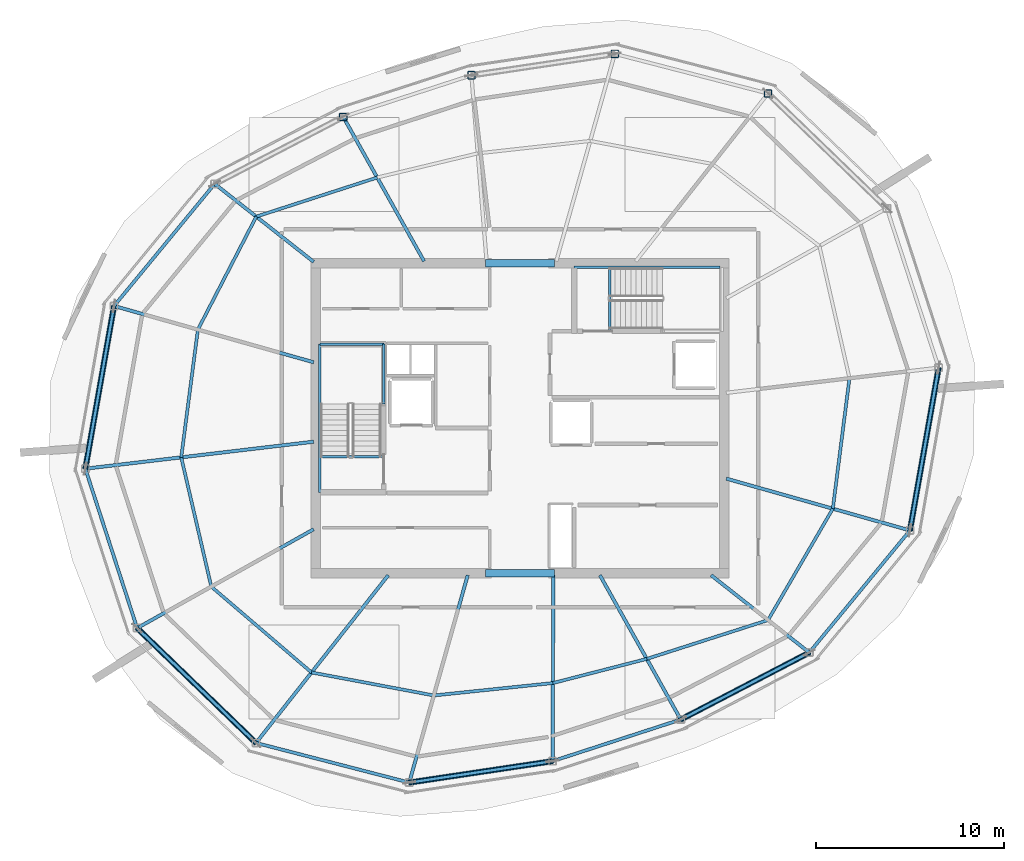
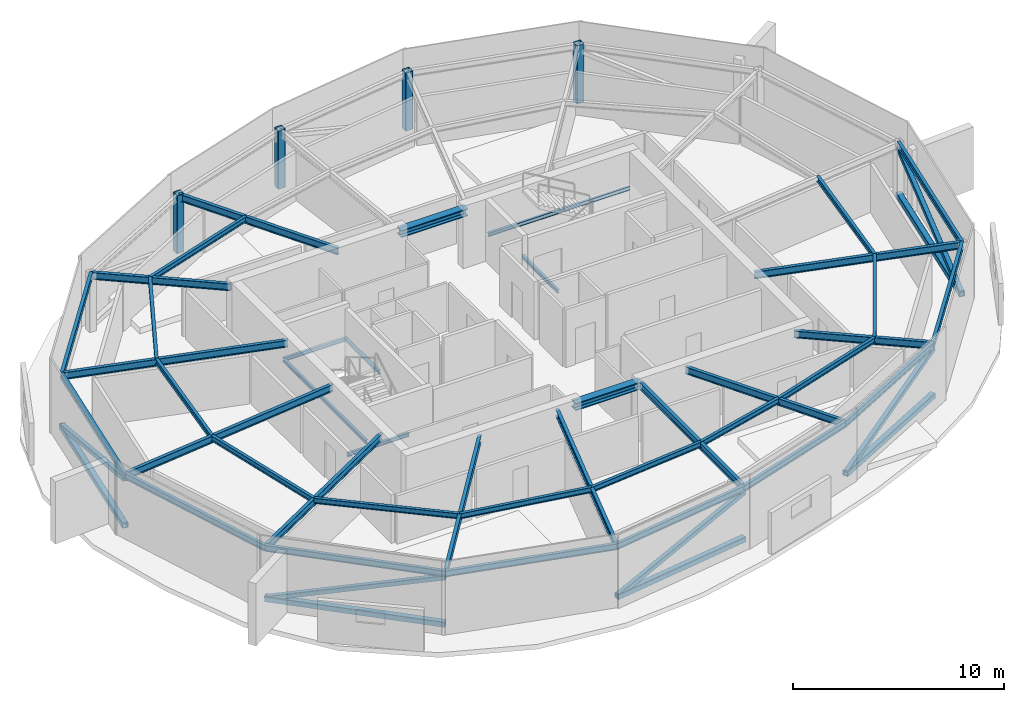
# One storey, part 4 of 10: 40 beams, 10 members, 4 columns.
"""IFC4 building model written with IfcOpenShell, lengths in metres."""

from ifc_helpers import new_model, si_unit, direction, frame, origin, origin_2d, place, context, subcontext, project, spatial, hollow_rectangle, i_section, extrude, material, material_profile, profile_set, type_object, element, save


model = new_model("IFC4")

# Units and contexts
model_context = context("Model", 3, precision=1e-05, world=origin(), true_north=direction((0.0, 1.0)))
body_context = subcontext(model_context, "Body", "Model", "MODEL_VIEW")
ifc_project = project(units=[si_unit("LENGTHUNIT", "METRE"), si_unit("AREAUNIT", "SQUARE_METRE"), si_unit("VOLUMEUNIT", "CUBIC_METRE"), si_unit("PLANEANGLEUNIT", "RADIAN"), si_unit("MASSUNIT", "GRAM", prefix="KILO")], contexts=[model_context])

# Site, building, storey
site_placement = place(None, origin())
site = spatial("IfcSite", under=ifc_project, at=site_placement, CompositionType="ELEMENT")
building_placement = place(site_placement, origin())
building = spatial("IfcBuilding", under=site, at=building_placement, Name="Kazma Halo Residences", CompositionType="ELEMENT")
storey_placement = place(building_placement, frame((0.0, 0.0, 374.0)))
storey = spatial("IfcBuildingStorey", under=building, at=storey_placement, Name="L94", CompositionType="ELEMENT", Elevation=374.0)

# Columns
ifc_material = material(Name="Steel S355", Category="steel")
ifc_material_profile_1 = material_profile(ifc_material, hollow_rectangle(XDim=0.39990234375, YDim=0.39990234375, WallThickness=0.02001953125, InnerFilletRadius=0.02001953125, OuterFilletRadius=0.0400390625, at=origin_2d()), Name="SHS400x400x20")
ifc_profile_set_1 = profile_set([ifc_material_profile_1], Name="Steel S355")
column_type = type_object("IfcColumnType", Name="COL-CROWN-SHS400", PredefinedType="COLUMN", material=ifc_profile_set_1)
for number, where, z_axis, x_axis, name in (
    (1, (61.617431640625, 59.273681640625, 0.0), (0.0, 0.0, 1.0), (1.0, 0.0, 0.0), "L94 CROWN FRAME perimeter column P02"),
    (2, (53.46630859375, 61.38232421875, 0.0), (0.0, 0.0, 1.0), (1.0, 0.0, 0.0), "L94 CROWN FRAME perimeter column P03"),
    (3, (45.8408203125, 60.24365234375, 0.0), (0.0, 0.0, 1.0), (1.0, 0.0, 0.0), "L94 CROWN FRAME perimeter column P04"),
    (4, (39.0234375, 58.02880859375, 0.0), (0.0, 0.0, 1.0), (1.0, 0.0, 0.0), "L94 CROWN FRAME perimeter column P05"),
):
    element("IfcColumn", number, at=place(storey_placement, frame(where, z_axis=z_axis, x_axis=x_axis)), inside=storey, type_object=column_type, Name=name, PredefinedType="COLUMN", context=body_context, shape_type="SweptSolid", body=[
        extrude(hollow_rectangle(XDim=0.39990234375, YDim=0.39990234375, WallThickness=0.02001953125, InnerFilletRadius=0.02001953125, OuterFilletRadius=0.0400390625, at=origin_2d()), origin(), (0.0, 0.0, 1.0), 3.360107421875),
    ])

# Beams
ifc_material_profile_2 = material_profile(ifc_material, i_section(OverallWidth=0.408935546875, OverallDepth=0.425048828125, WebThickness=0.03271484375, FlangeThickness=0.052490234375, FilletRadius=0.02001953125, at=origin_2d()), Name="W360x421")
ifc_profile_set_2 = profile_set([ifc_material_profile_2], Name="Steel S355")
beam_type_1 = type_object("IfcBeamType", Name="BM-CORE-W360H", PredefinedType="BEAM", material=ifc_profile_set_2)
for number, where, z_axis, x_axis, name in (
    (5, (46.60009765625, 33.75, 3.1474609375), (1.0, 0.0, 0.0), (0.0, 1.0, 0.0), "L94 core coupling beam S"),
    (6, (46.60009765625, 50.25, 3.1474609375), (1.0, 0.0, 0.0), (0.0, 1.0, 0.0), "L94 core coupling beam N"),
):
    element("IfcBeam", number, at=place(storey_placement, frame(where, z_axis=z_axis, x_axis=x_axis)), inside=storey, type_object=beam_type_1, Name=name, PredefinedType="BEAM", context=body_context, shape_type="SweptSolid", body=[
        extrude(i_section(OverallWidth=0.408935546875, OverallDepth=0.425048828125, WebThickness=0.03271484375, FlangeThickness=0.052490234375, FilletRadius=0.02001953125, at=origin_2d()), origin(), (0.0, 0.0, 1.0), 3.64990234375),
    ])
ifc_material_profile_3 = material_profile(ifc_material, i_section(OverallWidth=0.177978515625, OverallDepth=0.406982421875, WebThickness=0.0078125, FlangeThickness=0.0126953125, FilletRadius=0.013916015625, at=origin_2d()), Name="W410x60")
ifc_profile_set_3 = profile_set([ifc_material_profile_3], Name="Steel S355")
beam_type_2 = type_object("IfcBeamType", Name="BM-RAD-W410", PredefinedType="BEAM", material=ifc_profile_set_3)
beam_1_placement = place(storey_placement, frame((43.32373046875, 50.35009765625, 3.156494140625), z_axis=(-0.488621952621, 0.872495608824, 0.0), x_axis=(-0.872495608824, -0.488621952621, 0.0)))
element("IfcBeam", 7, at=beam_1_placement, inside=storey, type_object=beam_type_2, Name="L94 radial floor beam 05", PredefinedType="BEAM", context=body_context, shape_type="SweptSolid", body=[
    extrude(i_section(OverallWidth=0.177978515625, OverallDepth=0.406982421875, WebThickness=0.0078125, FlangeThickness=0.0126953125, FilletRadius=0.013916015625, at=origin_2d()), origin(), (0.0, 0.0, 1.0), 8.80078125),
])
beam_2_placement = place(storey_placement, frame((37.449951171875, 50.31689453125, 3.156494140625), z_axis=(-0.785321596803, 0.619088030569, 0.0), x_axis=(-0.619088030569, -0.785321596803, 0.0)))
element("IfcBeam", 8, at=beam_2_placement, inside=storey, type_object=beam_type_2, Name="L94 radial floor beam 06", PredefinedType="BEAM", context=body_context, shape_type="SweptSolid", body=[
    extrude(i_section(OverallWidth=0.177978515625, OverallDepth=0.406982421875, WebThickness=0.0078125, FlangeThickness=0.0126953125, FilletRadius=0.013916015625, at=origin_2d()), origin(), (0.0, 0.0, 1.0), 6.704345703125),
])
beam_3_placement = place(storey_placement, frame((37.449951171875, 44.975341796875, 3.156494140625), z_axis=(-0.962455160106, 0.271440720572, 0.0), x_axis=(-0.271440720572, -0.962455160106, 0.0)))
element("IfcBeam", 9, at=beam_3_placement, inside=storey, type_object=beam_type_2, Name="L94 radial floor beam 07", PredefinedType="BEAM", context=body_context, shape_type="SweptSolid", body=[
    extrude(i_section(OverallWidth=0.177978515625, OverallDepth=0.406982421875, WebThickness=0.0078125, FlangeThickness=0.0126953125, FilletRadius=0.013916015625, at=origin_2d()), origin(), (0.0, 0.0, 1.0), 11.0341796875),
])
beam_4_placement = place(storey_placement, frame((37.449951171875, 40.751220703125, 3.156494140625), z_axis=(-0.993069432883, -0.117529151591, 0.0), x_axis=(0.117529151591, -0.993069432883, 0.0)))
element("IfcBeam", 10, at=beam_4_placement, inside=storey, type_object=beam_type_2, Name="L94 radial floor beam 08", PredefinedType="BEAM", context=body_context, shape_type="SweptSolid", body=[
    extrude(i_section(OverallWidth=0.177978515625, OverallDepth=0.406982421875, WebThickness=0.0078125, FlangeThickness=0.0126953125, FilletRadius=0.013916015625, at=origin_2d()), origin(), (0.0, 0.0, 1.0), 12.23095703125),
])
beam_5_placement = place(storey_placement, frame((37.449951171875, 36.091796875, 3.156494140625), z_axis=(-0.872494798344, -0.488623399832, 0.0), x_axis=(0.488623399832, -0.872494798344, 0.0)))
element("IfcBeam", 11, at=beam_5_placement, inside=storey, type_object=beam_type_2, Name="L94 radial floor beam 09", PredefinedType="BEAM", context=body_context, shape_type="SweptSolid", body=[
    extrude(i_section(OverallWidth=0.177978515625, OverallDepth=0.406982421875, WebThickness=0.0078125, FlangeThickness=0.0126953125, FilletRadius=0.013916015625, at=origin_2d()), origin(), (0.0, 0.0, 1.0), 10.762939453125),
])
beam_6_placement = place(storey_placement, frame((41.41748046875, 33.64990234375, 3.156494140625), z_axis=(-0.619100773028, -0.785311551447, 0.0), x_axis=(0.785311551447, -0.619100773028, 0.0)))
element("IfcBeam", 12, at=beam_6_placement, inside=storey, type_object=beam_type_2, Name="L94 radial floor beam 10", PredefinedType="BEAM", context=body_context, shape_type="SweptSolid", body=[
    extrude(i_section(OverallWidth=0.177978515625, OverallDepth=0.406982421875, WebThickness=0.0078125, FlangeThickness=0.0126953125, FilletRadius=0.013916015625, at=origin_2d()), origin(), (0.0, 0.0, 1.0), 11.363037109375),
])
beam_7_placement = place(storey_placement, frame((45.64501953125, 33.64990234375, 3.156494140625), z_axis=(-0.271433859027, -0.962457095238, 0.0), x_axis=(0.962457095238, -0.271433859027, 0.0)))
element("IfcBeam", 13, at=beam_7_placement, inside=storey, type_object=beam_type_2, Name="L94 radial floor beam 11", PredefinedType="BEAM", context=body_context, shape_type="SweptSolid", body=[
    extrude(i_section(OverallWidth=0.177978515625, OverallDepth=0.406982421875, WebThickness=0.0078125, FlangeThickness=0.0126953125, FilletRadius=0.013916015625, at=origin_2d()), origin(), (0.0, 0.0, 1.0), 11.462646484375),
])
beam_8_placement = place(storey_placement, frame((50.199951171875, 33.64990234375, 3.156494140625), z_axis=(-0.004120979715, -0.999991508727, 0.0), x_axis=(0.999991508727, -0.004120979715, 0.0)))
element("IfcBeam", 14, at=beam_8_placement, inside=storey, type_object=beam_type_2, Name="L94 radial floor beam 12", PredefinedType="BEAM", context=body_context, shape_type="SweptSolid", body=[
    extrude(i_section(OverallWidth=0.177978515625, OverallDepth=0.406982421875, WebThickness=0.0078125, FlangeThickness=0.0126953125, FilletRadius=0.013916015625, at=origin_2d()), origin(), (0.0, 0.0, 1.0), 9.8935546875),
])
beam_9_placement = place(storey_placement, frame((52.67626953125, 33.64990234375, 3.156494140625), z_axis=(0.488621952621, -0.872495608824, 0.0), x_axis=(0.872495608824, 0.488621952621, 0.0)))
element("IfcBeam", 15, at=beam_9_placement, inside=storey, type_object=beam_type_2, Name="L94 radial floor beam 13", PredefinedType="BEAM", context=body_context, shape_type="SweptSolid", body=[
    extrude(i_section(OverallWidth=0.177978515625, OverallDepth=0.406982421875, WebThickness=0.0078125, FlangeThickness=0.0126953125, FilletRadius=0.013916015625, at=origin_2d()), origin(), (0.0, 0.0, 1.0), 8.80078125),
])
beam_10_placement = place(storey_placement, frame((58.591796875, 33.64990234375, 3.156494140625), z_axis=(0.785342950436, -0.619060942234, 0.0), x_axis=(0.619060942234, 0.785342950436, 0.0)))
element("IfcBeam", 16, at=beam_10_placement, inside=storey, type_object=beam_type_2, Name="L94 radial floor beam 14", PredefinedType="BEAM", context=body_context, shape_type="SweptSolid", body=[
    extrude(i_section(OverallWidth=0.177978515625, OverallDepth=0.406982421875, WebThickness=0.0078125, FlangeThickness=0.0126953125, FilletRadius=0.013916015625, at=origin_2d()), origin(), (0.0, 0.0, 1.0), 6.651123046875),
])
beam_11_placement = place(storey_placement, frame((59.39990234375, 38.784912109375, 3.156494140625), z_axis=(0.962456764872, -0.271435030445, 0.0), x_axis=(0.271435030445, 0.962456764872, 0.0)))
element("IfcBeam", 17, at=beam_11_placement, inside=storey, type_object=beam_type_2, Name="L94 radial floor beam 15", PredefinedType="BEAM", context=body_context, shape_type="SweptSolid", body=[
    extrude(i_section(OverallWidth=0.177978515625, OverallDepth=0.406982421875, WebThickness=0.0078125, FlangeThickness=0.0126953125, FilletRadius=0.013916015625, at=origin_2d()), origin(), (0.0, 0.0, 1.0), 10.151123046875),
])
ifc_material_profile_4 = material_profile(ifc_material, i_section(OverallWidth=0.1650390625, OverallDepth=0.31005859375, WebThickness=0.005859375, FlangeThickness=0.009765625, FilletRadius=0.011962890625, at=origin_2d()), Name="W310x38.7")
ifc_profile_set_4 = profile_set([ifc_material_profile_4], Name="Steel S355")
beam_type_3 = type_object("IfcBeamType", Name="BM-SEC-W310B", PredefinedType="JOIST", material=ifc_profile_set_4)
beam_12_placement = place(storey_placement, frame((40.82958984375, 54.8037109375, 3.205078125), z_axis=(-0.951532506418, -0.307548190094, 0.0), x_axis=(0.307548190094, -0.951532506418, 0.0)))
element("IfcBeam", 18, at=beam_12_placement, inside=storey, type_object=beam_type_3, Name="L94 circumferential floor joist 05", PredefinedType="JOIST", context=body_context, shape_type="SweptSolid", body=[
    extrude(i_section(OverallWidth=0.1650390625, OverallDepth=0.31005859375, WebThickness=0.005859375, FlangeThickness=0.009765625, FilletRadius=0.011962890625, at=origin_2d()), origin(), (0.0, 0.0, 1.0), 6.760986328125),
])
beam_13_placement = place(storey_placement, frame((34.396240234375, 52.724365234375, 3.205078125), z_axis=(-0.458980181698, -0.888446505316, 0.0), x_axis=(0.888446505316, -0.458980181698, 0.0)))
element("IfcBeam", 19, at=beam_13_placement, inside=storey, type_object=beam_type_3, Name="L94 circumferential floor joist 06", PredefinedType="JOIST", context=body_context, shape_type="SweptSolid", body=[
    extrude(i_section(OverallWidth=0.1650390625, OverallDepth=0.31005859375, WebThickness=0.005859375, FlangeThickness=0.009765625, FilletRadius=0.011962890625, at=origin_2d()), origin(), (0.0, 0.0, 1.0), 6.7666015625),
])
beam_14_placement = place(storey_placement, frame((31.29052734375, 46.712646484375, 3.205078125), z_axis=(-0.129220381174, -0.991615899978, 0.0), x_axis=(0.991615899978, -0.129220381174, 0.0)))
element("IfcBeam", 20, at=beam_14_placement, inside=storey, type_object=beam_type_3, Name="L94 circumferential floor joist 07", PredefinedType="JOIST", context=body_context, shape_type="SweptSolid", body=[
    extrude(i_section(OverallWidth=0.1650390625, OverallDepth=0.31005859375, WebThickness=0.005859375, FlangeThickness=0.009765625, FilletRadius=0.011962890625, at=origin_2d()), origin(), (0.0, 0.0, 1.0), 6.8525390625),
])
beam_15_placement = place(storey_placement, frame((30.405029296875, 39.91748046875, 3.205078125), z_axis=(0.22642269465, -0.97402913886, 0.0), x_axis=(0.97402913886, 0.22642269465, 0.0)))
element("IfcBeam", 21, at=beam_15_placement, inside=storey, type_object=beam_type_3, Name="L94 circumferential floor joist 08", PredefinedType="JOIST", context=body_context, shape_type="SweptSolid", body=[
    extrude(i_section(OverallWidth=0.1650390625, OverallDepth=0.31005859375, WebThickness=0.005859375, FlangeThickness=0.009765625, FilletRadius=0.011962890625, at=origin_2d()), origin(), (0.0, 0.0, 1.0), 7.059326171875),
])
beam_16_placement = place(storey_placement, frame((32.00341796875, 33.04150390625, 3.205078125), z_axis=(0.759582919789, -0.650410476518, 0.0), x_axis=(0.650410476518, 0.759582919789, 0.0)))
element("IfcBeam", 22, at=beam_16_placement, inside=storey, type_object=beam_type_3, Name="L94 circumferential floor joist 09", PredefinedType="JOIST", context=body_context, shape_type="SweptSolid", body=[
    extrude(i_section(OverallWidth=0.1650390625, OverallDepth=0.31005859375, WebThickness=0.005859375, FlangeThickness=0.009765625, FilletRadius=0.011962890625, at=origin_2d()), origin(), (0.0, 0.0, 1.0), 7.02197265625),
])
beam_17_placement = place(storey_placement, frame((37.337158203125, 28.474365234375, 3.205078125), z_axis=(0.982768028721, -0.184843181435, 0.0), x_axis=(0.184843181435, 0.982768028721, 0.0)))
element("IfcBeam", 23, at=beam_17_placement, inside=storey, type_object=beam_type_3, Name="L94 circumferential floor joist 10", PredefinedType="JOIST", context=body_context, shape_type="SweptSolid", body=[
    extrude(i_section(OverallWidth=0.1650390625, OverallDepth=0.31005859375, WebThickness=0.005859375, FlangeThickness=0.009765625, FilletRadius=0.011962890625, at=origin_2d()), origin(), (0.0, 0.0, 1.0), 6.6171875),
])
beam_18_placement = place(storey_placement, frame((43.84033203125, 27.251220703125, 3.205078125), z_axis=(0.994612236518, 0.10366532192, 0.0), x_axis=(-0.10366532192, 0.994612236518, 0.0)))
element("IfcBeam", 24, at=beam_18_placement, inside=storey, type_object=beam_type_3, Name="L94 circumferential floor joist 11", PredefinedType="JOIST", context=body_context, shape_type="SweptSolid", body=[
    extrude(i_section(OverallWidth=0.1650390625, OverallDepth=0.31005859375, WebThickness=0.005859375, FlangeThickness=0.009765625, FilletRadius=0.011962890625, at=origin_2d()), origin(), (0.0, 0.0, 1.0), 6.37060546875),
])
beam_19_placement = place(storey_placement, frame((50.176513671875, 27.91162109375, 3.205078125), z_axis=(0.96846845721, 0.249136202485, 0.0), x_axis=(-0.249136202485, 0.96846845721, 0.0)))
element("IfcBeam", 25, at=beam_19_placement, inside=storey, type_object=beam_type_3, Name="L94 circumferential floor joist 12", PredefinedType="JOIST", context=body_context, shape_type="SweptSolid", body=[
    extrude(i_section(OverallWidth=0.1650390625, OverallDepth=0.31005859375, WebThickness=0.005859375, FlangeThickness=0.009765625, FilletRadius=0.011962890625, at=origin_2d()), origin(), (0.0, 0.0, 1.0), 5.156494140625),
])
beam_20_placement = place(storey_placement, frame((55.17041015625, 29.1962890625, 3.205078125), z_axis=(0.952375588957, 0.304927429988, 0.0), x_axis=(-0.304927429988, 0.952375588957, 0.0)))
element("IfcBeam", 26, at=beam_20_placement, inside=storey, type_object=beam_type_3, Name="L94 circumferential floor joist 13", PredefinedType="JOIST", context=body_context, shape_type="SweptSolid", body=[
    extrude(i_section(OverallWidth=0.1650390625, OverallDepth=0.31005859375, WebThickness=0.005859375, FlangeThickness=0.009765625, FilletRadius=0.011962890625, at=origin_2d()), origin(), (0.0, 0.0, 1.0), 6.7734375),
])
beam_21_placement = place(storey_placement, frame((61.621337890625, 31.26171875, 3.205078125), z_axis=(0.502650174973, 0.864489908327, 0.0), x_axis=(-0.864489908327, 0.502650174973, 0.0)))
element("IfcBeam", 27, at=beam_21_placement, inside=storey, type_object=beam_type_3, Name="L94 circumferential floor joist 14", PredefinedType="JOIST", context=body_context, shape_type="SweptSolid", body=[
    extrude(i_section(OverallWidth=0.1650390625, OverallDepth=0.31005859375, WebThickness=0.005859375, FlangeThickness=0.009765625, FilletRadius=0.011962890625, at=origin_2d()), origin(), (0.0, 0.0, 1.0), 6.853759765625),
])
beam_22_placement = place(storey_placement, frame((65.06640625, 37.186767578125, 3.205078125), z_axis=(0.126603386769, 0.991953417484, 0.0), x_axis=(-0.991953417484, 0.126603386769, 0.0)))
element("IfcBeam", 28, at=beam_22_placement, inside=storey, type_object=beam_type_3, Name="L94 circumferential floor joist 15", PredefinedType="JOIST", context=body_context, shape_type="SweptSolid", body=[
    extrude(i_section(OverallWidth=0.1650390625, OverallDepth=0.31005859375, WebThickness=0.005859375, FlangeThickness=0.009765625, FilletRadius=0.011962890625, at=origin_2d()), origin(), (0.0, 0.0, 1.0), 6.994384765625),
])
ifc_material_profile_5 = material_profile(ifc_material, i_section(OverallWidth=0.1708984375, OverallDepth=0.35498046875, WebThickness=0.007080078125, FlangeThickness=0.01171875, FilletRadius=0.013916015625, at=origin_2d()), Name="W360x51")
ifc_profile_set_5 = profile_set([ifc_material_profile_5], Name="Steel S355")
beam_type_4 = type_object("IfcBeamType", Name="BM-SPN-W360", PredefinedType="BEAM", material=ifc_profile_set_5)
beam_23_placement = place(storey_placement, frame((32.184814453125, 54.467529296875, 3.1826171875), z_axis=(-0.636005014199, -0.77168492399, 0.0), x_axis=(0.77168492399, -0.636005014199, 0.0)))
element("IfcBeam", 29, at=beam_23_placement, inside=storey, type_object=beam_type_4, Name="L94 CROWN FRAME ring beam 06", PredefinedType="BEAM", context=body_context, shape_type="SweptSolid", body=[
    extrude(i_section(OverallWidth=0.1708984375, OverallDepth=0.35498046875, WebThickness=0.007080078125, FlangeThickness=0.01171875, FilletRadius=0.013916015625, at=origin_2d()), origin(), (0.0, 0.0, 1.0), 8.41943359375),
])
beam_24_placement = place(storey_placement, frame((26.830078125, 47.970458984375, 3.1826171875), z_axis=(-0.173642734291, -0.984808712811, 0.0), x_axis=(0.984808712811, -0.173642734291, 0.0)))
element("IfcBeam", 30, at=beam_24_placement, inside=storey, type_object=beam_type_4, Name="L94 CROWN FRAME ring beam 07", PredefinedType="BEAM", context=body_context, shape_type="SweptSolid", body=[
    extrude(i_section(OverallWidth=0.1708984375, OverallDepth=0.35498046875, WebThickness=0.007080078125, FlangeThickness=0.01171875, FilletRadius=0.013916015625, at=origin_2d()), origin(), (0.0, 0.0, 1.0), 8.790283203125),
])
beam_25_placement = place(storey_placement, frame((25.3037109375, 39.313720703125, 3.1826171875), z_axis=(0.309015498459, -0.951057002346, 0.0), x_axis=(0.951057002346, 0.309015498459, 0.0)))
element("IfcBeam", 31, at=beam_25_placement, inside=storey, type_object=beam_type_4, Name="L94 CROWN FRAME ring beam 08", PredefinedType="BEAM", context=body_context, shape_type="SweptSolid", body=[
    extrude(i_section(OverallWidth=0.1708984375, OverallDepth=0.35498046875, WebThickness=0.007080078125, FlangeThickness=0.01171875, FilletRadius=0.013916015625, at=origin_2d()), origin(), (0.0, 0.0, 1.0), 8.91748046875),
])
beam_26_placement = place(storey_placement, frame((28.059326171875, 30.832763671875, 3.1826171875), z_axis=(0.719330630477, -0.694667866003, 0.0), x_axis=(0.694667866003, 0.719330630477, 0.0)))
element("IfcBeam", 32, at=beam_26_placement, inside=storey, type_object=beam_type_4, Name="L94 CROWN FRAME ring beam 09", PredefinedType="BEAM", context=body_context, shape_type="SweptSolid", body=[
    extrude(i_section(OverallWidth=0.1708984375, OverallDepth=0.35498046875, WebThickness=0.007080078125, FlangeThickness=0.01171875, FilletRadius=0.013916015625, at=origin_2d()), origin(), (0.0, 0.0, 1.0), 8.79052734375),
])
beam_27_placement = place(storey_placement, frame((34.382568359375, 24.726318359375, 3.1826171875), z_axis=(0.968129821283, -0.250448895271, 0.0), x_axis=(0.250448895271, 0.968129821283, 0.0)))
element("IfcBeam", 33, at=beam_27_placement, inside=storey, type_object=beam_type_4, Name="L94 CROWN FRAME ring beam 10", PredefinedType="BEAM", context=body_context, shape_type="SweptSolid", body=[
    extrude(i_section(OverallWidth=0.1708984375, OverallDepth=0.35498046875, WebThickness=0.007080078125, FlangeThickness=0.01171875, FilletRadius=0.013916015625, at=origin_2d()), origin(), (0.0, 0.0, 1.0), 8.41943359375),
])
beam_28_placement = place(storey_placement, frame((42.53369140625, 22.61767578125, 3.1826171875), z_axis=(0.989034152337, 0.147686984904, 0.0), x_axis=(-0.147686984904, 0.989034152337, 0.0)))
element("IfcBeam", 34, at=beam_28_placement, inside=storey, type_object=beam_type_4, Name="L94 CROWN FRAME ring beam 11", PredefinedType="BEAM", context=body_context, shape_type="SweptSolid", body=[
    extrude(i_section(OverallWidth=0.1708984375, OverallDepth=0.35498046875, WebThickness=0.007080078125, FlangeThickness=0.01171875, FilletRadius=0.013916015625, at=origin_2d()), origin(), (0.0, 0.0, 1.0), 7.7099609375),
])
beam_29_placement = place(storey_placement, frame((50.1591796875, 23.75634765625, 3.1826171875), z_axis=(0.951067102, 0.308984413026, 0.0), x_axis=(-0.308984413026, 0.951067102, 0.0)))
element("IfcBeam", 35, at=beam_29_placement, inside=storey, type_object=beam_type_4, Name="L94 CROWN FRAME ring beam 12", PredefinedType="BEAM", context=body_context, shape_type="SweptSolid", body=[
    extrude(i_section(OverallWidth=0.1708984375, OverallDepth=0.35498046875, WebThickness=0.007080078125, FlangeThickness=0.01171875, FilletRadius=0.013916015625, at=origin_2d()), origin(), (0.0, 0.0, 1.0), 7.168212890625),
])
beam_30_placement = place(storey_placement, frame((56.9765625, 25.97119140625, 3.1826171875), z_axis=(0.886940838721, 0.461883046461, 0.0), x_axis=(-0.461883046461, 0.886940838721, 0.0)))
element("IfcBeam", 36, at=beam_30_placement, inside=storey, type_object=beam_type_4, Name="L94 CROWN FRAME ring beam 13", PredefinedType="BEAM", context=body_context, shape_type="SweptSolid", body=[
    extrude(i_section(OverallWidth=0.1708984375, OverallDepth=0.35498046875, WebThickness=0.007080078125, FlangeThickness=0.01171875, FilletRadius=0.013916015625, at=origin_2d()), origin(), (0.0, 0.0, 1.0), 7.71044921875),
])
beam_31_placement = place(storey_placement, frame((63.815185546875, 29.532470703125, 3.1826171875), z_axis=(0.636005014199, 0.77168492399, 0.0), x_axis=(-0.77168492399, 0.636005014199, 0.0)))
element("IfcBeam", 37, at=beam_31_placement, inside=storey, type_object=beam_type_4, Name="L94 CROWN FRAME ring beam 14", PredefinedType="BEAM", context=body_context, shape_type="SweptSolid", body=[
    extrude(i_section(OverallWidth=0.1708984375, OverallDepth=0.35498046875, WebThickness=0.007080078125, FlangeThickness=0.01171875, FilletRadius=0.013916015625, at=origin_2d()), origin(), (0.0, 0.0, 1.0), 8.41943359375),
])
beam_32_placement = place(storey_placement, frame((69.169921875, 36.029541015625, 3.1826171875), z_axis=(0.173642734291, 0.984808712811, 0.0), x_axis=(-0.984808712811, 0.173642734291, 0.0)))
element("IfcBeam", 38, at=beam_32_placement, inside=storey, type_object=beam_type_4, Name="L94 CROWN FRAME ring beam 15", PredefinedType="BEAM", context=body_context, shape_type="SweptSolid", body=[
    extrude(i_section(OverallWidth=0.1708984375, OverallDepth=0.35498046875, WebThickness=0.007080078125, FlangeThickness=0.01171875, FilletRadius=0.013916015625, at=origin_2d()), origin(), (0.0, 0.0, 1.0), 8.790283203125),
])
ifc_material_profile_6 = material_profile(ifc_material, i_section(OverallWidth=0.133056640625, OverallDepth=0.20703125, WebThickness=0.005859375, FlangeThickness=0.00830078125, FilletRadius=0.010009765625, at=origin_2d()), Name="W200x26.6")
ifc_profile_set_6 = profile_set([ifc_material_profile_6], Name="Steel S355")
beam_type_5 = type_object("IfcBeamType", Name="BM-TRIM-W200", PredefinedType="BEAM", material=ifc_profile_set_6)
for number, where, z_axis, x_axis, name in (
    (39, (37.800048828125, 39.949951171875, -0.389892578125), (1.0, 0.0, 0.0), (0.0, 1.0, 0.0), "L94 ST-01 floor landing support beam"),
    (40, (53.199951171875, 46.6201171875, -0.389892578125), (0.0, 1.0, 0.0), (-1.0, 0.0, 0.0), "L94 ST-02 floor landing support beam"),
):
    element("IfcBeam", number, at=place(storey_placement, frame(where, z_axis=z_axis, x_axis=x_axis)), inside=storey, type_object=beam_type_5, Name=name, PredefinedType="BEAM", context=body_context, shape_type="SweptSolid", body=[
        extrude(i_section(OverallWidth=0.133056640625, OverallDepth=0.20703125, WebThickness=0.005859375, FlangeThickness=0.00830078125, FilletRadius=0.010009765625, at=origin_2d()), origin(), (0.0, 0.0, 1.0), 3.3798828125),
    ])
beam_33_placement = place(storey_placement, frame((37.780029296875, 38.06005859375, 1.4951171875), z_axis=(0.0, 1.0, 0.0), x_axis=(-1.0, 0.0, 0.0)))
element("IfcBeam", 41, at=beam_33_placement, inside=storey, type_object=beam_type_5, Name="L94 ST-01 landing west wall ledger", PredefinedType="BEAM", context=body_context, shape_type="SweptSolid", body=[
    extrude(i_section(OverallWidth=0.133056640625, OverallDepth=0.20703125, WebThickness=0.005859375, FlangeThickness=0.00830078125, FilletRadius=0.010009765625, at=origin_2d()), origin(), (0.0, 0.0, 1.0), 7.8798828125),
])
beam_34_placement = place(storey_placement, frame((41.179931640625, 42.75, 1.4951171875), z_axis=(0.0, 1.0, 0.0), x_axis=(-1.0, 0.0, 0.0)))
element("IfcBeam", 42, at=beam_34_placement, inside=storey, type_object=beam_type_5, Name="L94 ST-01 landing east wall ledger", PredefinedType="BEAM", context=body_context, shape_type="SweptSolid", body=[
    extrude(i_section(OverallWidth=0.133056640625, OverallDepth=0.20703125, WebThickness=0.005859375, FlangeThickness=0.00830078125, FilletRadius=0.010009765625, at=origin_2d()), origin(), (0.0, 0.0, 1.0), 3.18994140625),
])
beam_35_placement = place(storey_placement, frame((37.780029296875, 45.93994140625, 1.4951171875), z_axis=(1.0, 0.0, 0.0), x_axis=(0.0, 1.0, 0.0)))
element("IfcBeam", 43, at=beam_35_placement, inside=storey, type_object=beam_type_5, Name="L94 ST-01 landing end wall ledger", PredefinedType="BEAM", context=body_context, shape_type="SweptSolid", body=[
    extrude(i_section(OverallWidth=0.133056640625, OverallDepth=0.20703125, WebThickness=0.005859375, FlangeThickness=0.00830078125, FilletRadius=0.010009765625, at=origin_2d()), origin(), (0.0, 0.0, 1.0), 3.39990234375),
])
beam_36_placement = place(storey_placement, frame((51.31005859375, 50.02001953125, 1.4951171875), z_axis=(1.0, 0.0, 0.0), x_axis=(0.0, 1.0, 0.0)))
element("IfcBeam", 44, at=beam_36_placement, inside=storey, type_object=beam_type_5, Name="L94 ST-02 landing north wall ledger", PredefinedType="BEAM", context=body_context, shape_type="SweptSolid", body=[
    extrude(i_section(OverallWidth=0.133056640625, OverallDepth=0.20703125, WebThickness=0.005859375, FlangeThickness=0.00830078125, FilletRadius=0.010009765625, at=origin_2d()), origin(), (0.0, 0.0, 1.0), 7.760009765625),
])

# Members
ifc_material_profile_7 = material_profile(ifc_material, hollow_rectangle(XDim=0.25, YDim=0.25, WallThickness=0.010009765625, InnerFilletRadius=0.010009765625, OuterFilletRadius=0.02001953125, at=origin_2d()), Name="SHS250x250x10")
ifc_profile_set_7 = profile_set([ifc_material_profile_7], Name="Steel S355")
member_type_1 = type_object("IfcMemberType", Name="MBR-CRWN-SHS250", PredefinedType="BRACE", material=ifc_profile_set_7)
member_1_placement = place(storey_placement, frame((26.830078125, 47.970458984375, 0.280029296875), z_axis=(-0.16598926389, -0.941402322299, 0.29361408659), x_axis=(0.984808712811, -0.173642734291, 0.0)))
element("IfcMember", 45, at=member_1_placement, inside=storey, type_object=member_type_1, Name="L94 CROWN FRAME diagonal brace 07", PredefinedType="BRACE", context=body_context, shape_type="SweptSolid", body=[
    extrude(hollow_rectangle(XDim=0.25, YDim=0.25, WallThickness=0.010009765625, InnerFilletRadius=0.010009765625, OuterFilletRadius=0.02001953125, at=origin_2d()), origin(), (0.0, 0.0, 1.0), 9.195556640625),
])
member_2_placement = place(storey_placement, frame((28.059326171875, 30.832763671875, 0.280029296875), z_axis=(0.687626650501, -0.664050879626, 0.293608614976), x_axis=(0.694667866003, 0.719330630477, 0.0)))
element("IfcMember", 46, at=member_2_placement, inside=storey, type_object=member_type_1, Name="L94 CROWN FRAME diagonal brace 09", PredefinedType="BRACE", context=body_context, shape_type="SweptSolid", body=[
    extrude(hollow_rectangle(XDim=0.25, YDim=0.25, WallThickness=0.010009765625, InnerFilletRadius=0.010009765625, OuterFilletRadius=0.02001953125, at=origin_2d()), origin(), (0.0, 0.0, 1.0), 9.19580078125),
])
member_3_placement = place(storey_placement, frame((42.53369140625, 22.61767578125, 0.280029296875), z_axis=(0.933453821747, 0.139387482379, 0.330507325821), x_axis=(-0.147686984904, 0.989034152337, 0.0)))
element("IfcMember", 47, at=member_3_placement, inside=storey, type_object=member_type_1, Name="L94 CROWN FRAME diagonal brace 11", PredefinedType="BRACE", context=body_context, shape_type="SweptSolid", body=[
    extrude(hollow_rectangle(XDim=0.25, YDim=0.25, WallThickness=0.010009765625, InnerFilletRadius=0.010009765625, OuterFilletRadius=0.02001953125, at=origin_2d()), origin(), (0.0, 0.0, 1.0), 8.169189453125),
])
member_4_placement = place(storey_placement, frame((56.9765625, 25.97119140625, 0.280029296875), z_axis=(0.837101517321, 0.435928736323, 0.330495365394), x_axis=(-0.461883046461, 0.886940838721, 0.0)))
element("IfcMember", 48, at=member_4_placement, inside=storey, type_object=member_type_1, Name="L94 CROWN FRAME diagonal brace 13", PredefinedType="BRACE", context=body_context, shape_type="SweptSolid", body=[
    extrude(hollow_rectangle(XDim=0.25, YDim=0.25, WallThickness=0.010009765625, InnerFilletRadius=0.010009765625, OuterFilletRadius=0.02001953125, at=origin_2d()), origin(), (0.0, 0.0, 1.0), 8.16943359375),
])
member_5_placement = place(storey_placement, frame((69.169921875, 36.029541015625, 0.280029296875), z_axis=(0.16598926389, 0.941402322299, 0.29361408659), x_axis=(-0.984808712811, 0.173642734291, 0.0)))
element("IfcMember", 49, at=member_5_placement, inside=storey, type_object=member_type_1, Name="L94 CROWN FRAME diagonal brace 15", PredefinedType="BRACE", context=body_context, shape_type="SweptSolid", body=[
    extrude(hollow_rectangle(XDim=0.25, YDim=0.25, WallThickness=0.010009765625, InnerFilletRadius=0.010009765625, OuterFilletRadius=0.02001953125, at=origin_2d()), origin(), (0.0, 0.0, 1.0), 9.195556640625),
])
ifc_material_profile_8 = material_profile(ifc_material, hollow_rectangle(XDim=0.300048828125, YDim=0.300048828125, WallThickness=0.012451171875, InnerFilletRadius=0.012451171875, OuterFilletRadius=0.02490234375, at=origin_2d()), Name="SHS300x300x12.5")
ifc_profile_set_8 = profile_set([ifc_material_profile_8], Name="Steel S355")
member_type_2 = type_object("IfcMemberType", Name="MBR-CRWN-SHS300", PredefinedType="CHORD", material=ifc_profile_set_8)
member_6_placement = place(storey_placement, frame((26.830078125, 47.970458984375, 0.280029296875), z_axis=(-0.173642734291, -0.984808712811, 0.0), x_axis=(0.984808712811, -0.173642734291, 0.0)))
element("IfcMember", 50, at=member_6_placement, inside=storey, type_object=member_type_2, Name="L94 CROWN FRAME horizontal ring chord 07", PredefinedType="CHORD", context=body_context, shape_type="SweptSolid", body=[
    extrude(hollow_rectangle(XDim=0.300048828125, YDim=0.300048828125, WallThickness=0.012451171875, InnerFilletRadius=0.012451171875, OuterFilletRadius=0.02490234375, at=origin_2d()), origin(), (0.0, 0.0, 1.0), 8.790283203125),
])
member_7_placement = place(storey_placement, frame((28.059326171875, 30.832763671875, 0.280029296875), z_axis=(0.719330630477, -0.694667866003, 0.0), x_axis=(0.694667866003, 0.719330630477, 0.0)))
element("IfcMember", 51, at=member_7_placement, inside=storey, type_object=member_type_2, Name="L94 CROWN FRAME horizontal ring chord 09", PredefinedType="CHORD", context=body_context, shape_type="SweptSolid", body=[
    extrude(hollow_rectangle(XDim=0.300048828125, YDim=0.300048828125, WallThickness=0.012451171875, InnerFilletRadius=0.012451171875, OuterFilletRadius=0.02490234375, at=origin_2d()), origin(), (0.0, 0.0, 1.0), 8.79052734375),
])
member_8_placement = place(storey_placement, frame((42.53369140625, 22.61767578125, 0.280029296875), z_axis=(0.989034152337, 0.147686984904, 0.0), x_axis=(-0.147686984904, 0.989034152337, 0.0)))
element("IfcMember", 52, at=member_8_placement, inside=storey, type_object=member_type_2, Name="L94 CROWN FRAME horizontal ring chord 11", PredefinedType="CHORD", context=body_context, shape_type="SweptSolid", body=[
    extrude(hollow_rectangle(XDim=0.300048828125, YDim=0.300048828125, WallThickness=0.012451171875, InnerFilletRadius=0.012451171875, OuterFilletRadius=0.02490234375, at=origin_2d()), origin(), (0.0, 0.0, 1.0), 7.7099609375),
])
member_9_placement = place(storey_placement, frame((56.9765625, 25.97119140625, 0.280029296875), z_axis=(0.886940838721, 0.461883046461, 0.0), x_axis=(-0.461883046461, 0.886940838721, 0.0)))
element("IfcMember", 53, at=member_9_placement, inside=storey, type_object=member_type_2, Name="L94 CROWN FRAME horizontal ring chord 13", PredefinedType="CHORD", context=body_context, shape_type="SweptSolid", body=[
    extrude(hollow_rectangle(XDim=0.300048828125, YDim=0.300048828125, WallThickness=0.012451171875, InnerFilletRadius=0.012451171875, OuterFilletRadius=0.02490234375, at=origin_2d()), origin(), (0.0, 0.0, 1.0), 7.71044921875),
])
member_10_placement = place(storey_placement, frame((69.169921875, 36.029541015625, 0.280029296875), z_axis=(0.173642734291, 0.984808712811, 0.0), x_axis=(-0.984808712811, 0.173642734291, 0.0)))
element("IfcMember", 54, at=member_10_placement, inside=storey, type_object=member_type_2, Name="L94 CROWN FRAME horizontal ring chord 15", PredefinedType="CHORD", context=body_context, shape_type="SweptSolid", body=[
    extrude(hollow_rectangle(XDim=0.300048828125, YDim=0.300048828125, WallThickness=0.012451171875, InnerFilletRadius=0.012451171875, OuterFilletRadius=0.02490234375, at=origin_2d()), origin(), (0.0, 0.0, 1.0), 8.790283203125),
])

save(model, "model.ifc")
